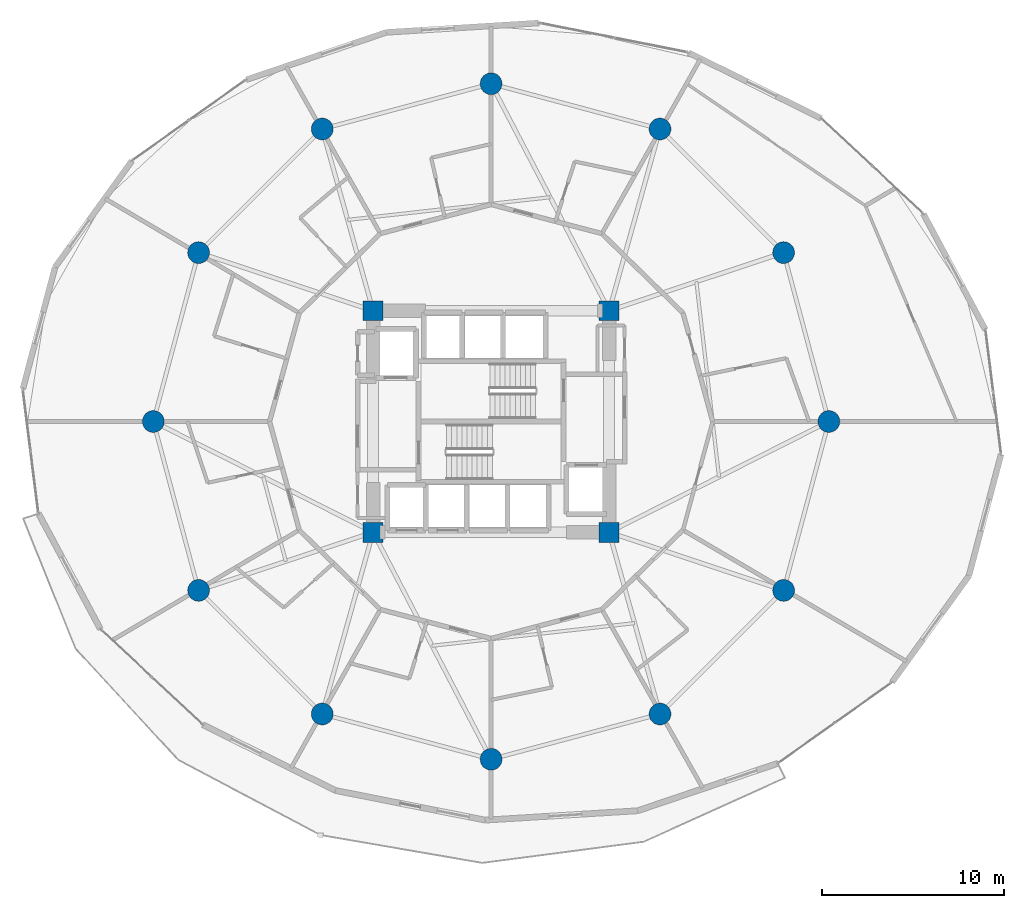
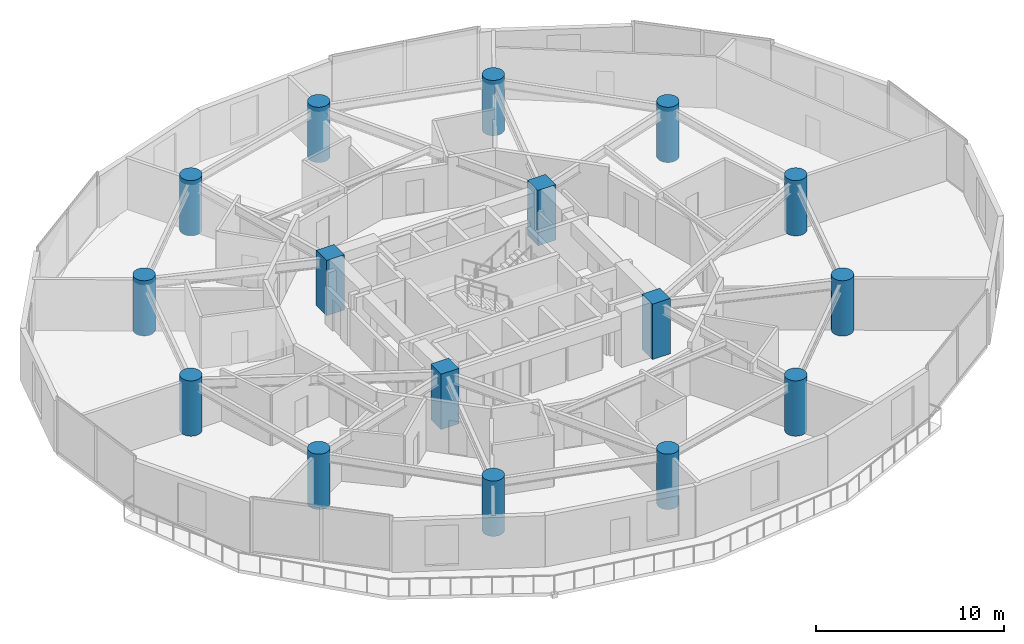
# One storey, part 1 of 26: 16 columns.
"""IFC4 building model written with IfcOpenShell, lengths in metres."""

from ifc_helpers import new_model, si_unit, direction, frame, origin, origin_2d, place, context, subcontext, project, spatial, rectangle, circle, extrude, material, material_profile, profile_set, type_object, element, save


model = new_model("IFC4")

# Units and contexts
model_context = context("Model", 3, precision=1e-05, world=origin(), true_north=direction((0.0, 1.0)))
body_context = subcontext(model_context, "Body", "Model", "MODEL_VIEW")
ifc_project = project(units=[si_unit("LENGTHUNIT", "METRE"), si_unit("AREAUNIT", "SQUARE_METRE"), si_unit("VOLUMEUNIT", "CUBIC_METRE"), si_unit("PLANEANGLEUNIT", "RADIAN"), si_unit("MASSUNIT", "GRAM", prefix="KILO")], contexts=[model_context])

# Site, building, storey
site_placement = place(None, origin())
site = spatial("IfcSite", under=ifc_project, at=site_placement, CompositionType="ELEMENT")
building_placement = place(site_placement, origin())
building = spatial("IfcBuilding", under=site, at=building_placement, Name="Solvirekh Grand Hotel", CompositionType="ELEMENT")
storey_placement = place(building_placement, frame((0.0, 0.0, 35.60009765625)))
storey = spatial("IfcBuildingStorey", under=building, at=storey_placement, Name="L07", CompositionType="ELEMENT", Elevation=35.60009765625)

# Columns
ifc_material = material(Name="Concrete C60/75", Category="concrete")
ifc_material_profile_1 = material_profile(ifc_material, rectangle(XDim=1.10009765625, YDim=1.10009765625, at=origin_2d()), Name="RC 1100X1100")
ifc_profile_set_1 = profile_set([ifc_material_profile_1], Name="Concrete C60/75")
column_type_1 = type_object("IfcColumnType", Name="Col_Core_1100", PredefinedType="COLUMN", material=ifc_profile_set_1)
for number, where, z_axis, x_axis, name in (
    (1, (-6.5, -6.10009765625, 0.0), (0.0, 0.0, 1.0), (1.0, 0.0, 0.0), "L07 core corner column CC1"),
    (2, (6.5, -6.10009765625, 0.0), (0.0, 0.0, 1.0), (1.0, 0.0, 0.0), "L07 core corner column CC2"),
    (3, (6.5, 6.10009765625, 0.0), (0.0, 0.0, 1.0), (1.0, 0.0, 0.0), "L07 core corner column CC3"),
    (4, (-6.5, 6.10009765625, 0.0), (0.0, 0.0, 1.0), (1.0, 0.0, 0.0), "L07 core corner column CC4"),
):
    element("IfcColumn", number, at=place(storey_placement, frame(where, z_axis=z_axis, x_axis=x_axis)), inside=storey, type_object=column_type_1, Name=name, PredefinedType="COLUMN", context=body_context, shape_type="SweptSolid", body=[
        extrude(rectangle(XDim=1.10009765625, YDim=1.10009765625, at=origin_2d()), origin(), (0.0, 0.0, 1.0), 3.599853515625),
    ])
ifc_material_profile_2 = material_profile(ifc_material, circle(Radius=0.60009765625, at=origin_2d()), Name="RC CIRC D1200")
ifc_profile_set_2 = profile_set([ifc_material_profile_2], Name="Concrete C60/75")
column_type_2 = type_object("IfcColumnType", Name="Col_Z1_D1200", PredefinedType="COLUMN", material=ifc_profile_set_2)
for number, where, z_axis, x_axis, name in (
    (5, (18.60009765625, 0.0, 0.0), (0.0, 0.0, 1.0), (1.0, 0.0, 0.0), "L07 perimeter column P01"),
    (6, (16.10791015625, 9.300048828125, 0.0), (0.0, 0.0, 1.0), (1.0, 0.0, 0.0), "L07 perimeter column P02"),
    (7, (9.300048828125, 16.10791015625, 0.0), (0.0, 0.0, 1.0), (1.0, 0.0, 0.0), "L07 perimeter column P03"),
    (8, (0.0, 18.60009765625, 0.0), (0.0, 0.0, 1.0), (1.0, 0.0, 0.0), "L07 perimeter column P04"),
    (9, (-9.300048828125, 16.10791015625, 0.0), (0.0, 0.0, 1.0), (1.0, 0.0, 0.0), "L07 perimeter column P05"),
    (10, (-16.10791015625, 9.300048828125, 0.0), (0.0, 0.0, 1.0), (1.0, 0.0, 0.0), "L07 perimeter column P06"),
    (11, (-18.60009765625, 0.0, 0.0), (0.0, 0.0, 1.0), (1.0, 0.0, 0.0), "L07 perimeter column P07"),
    (12, (-16.10791015625, -9.300048828125, 0.0), (0.0, 0.0, 1.0), (1.0, 0.0, 0.0), "L07 perimeter column P08"),
    (13, (-9.300048828125, -16.10791015625, 0.0), (0.0, 0.0, 1.0), (1.0, 0.0, 0.0), "L07 perimeter column P09"),
    (14, (0.0, -18.60009765625, 0.0), (0.0, 0.0, 1.0), (1.0, 0.0, 0.0), "L07 perimeter column P10"),
    (15, (9.300048828125, -16.10791015625, 0.0), (0.0, 0.0, 1.0), (1.0, 0.0, 0.0), "L07 perimeter column P11"),
    (16, (16.10791015625, -9.300048828125, 0.0), (0.0, 0.0, 1.0), (1.0, 0.0, 0.0), "L07 perimeter column P12"),
):
    element("IfcColumn", number, at=place(storey_placement, frame(where, z_axis=z_axis, x_axis=x_axis)), inside=storey, type_object=column_type_2, Name=name, PredefinedType="COLUMN", context=body_context, shape_type="SweptSolid", body=[
        extrude(circle(Radius=0.60009765625, at=origin_2d()), origin(), (0.0, 0.0, 1.0), 3.599853515625),
    ])

save(model, "model.ifc")
